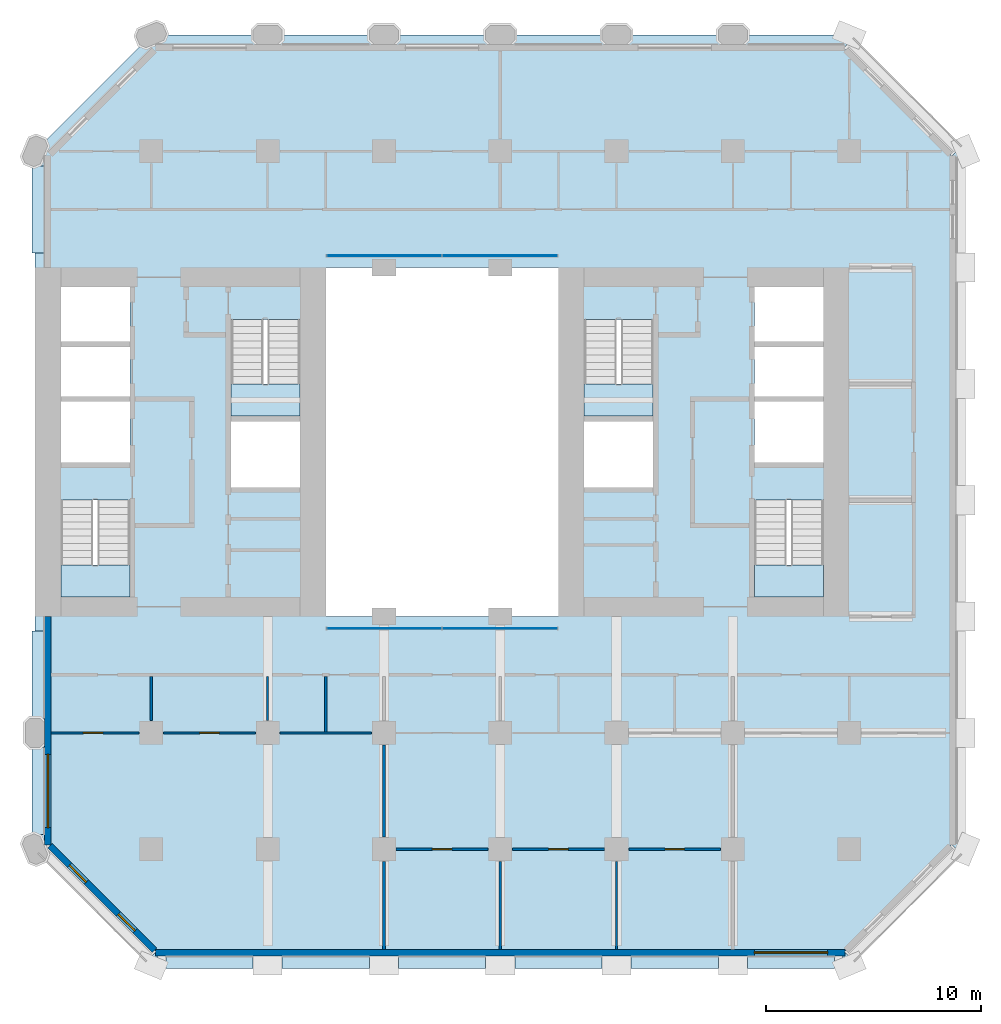
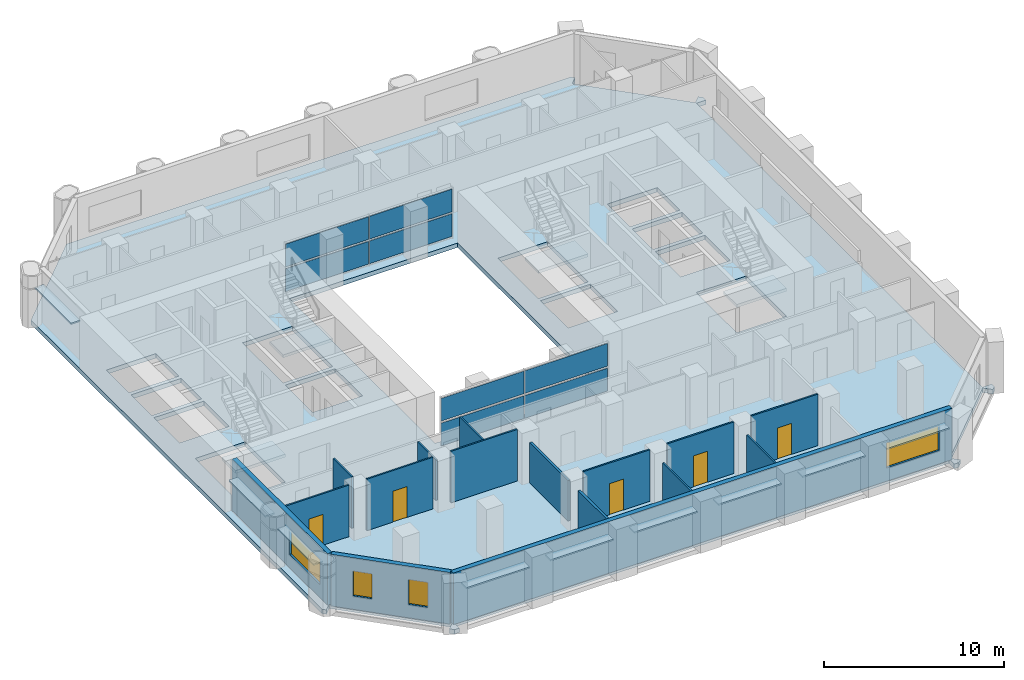
# One storey, part 7 of 13: 17 plates, 16 walls, 5 doors, 5 slabs, 4 windows, 9 openings, 6 elements without a shape of their own.
"""IFC4 building model written with IfcOpenShell, lengths in metres."""

from ifc_helpers import new_model, si_unit, direction, frame, frame_2d, origin, origin_2d, place, context, subcontext, project, spatial, polyline, rectangle, outline, extrude, material, layer, layer_set, type_object, element, fill, aggregate, save


model = new_model("IFC4")

# Units and contexts
model_context = context("Model", 3, precision=1e-05, world=origin(), true_north=direction((0.0, 1.0)))
body_context = subcontext(model_context, "Body", "Model", "MODEL_VIEW")
ifc_project = project(units=[si_unit("LENGTHUNIT", "METRE"), si_unit("AREAUNIT", "SQUARE_METRE"), si_unit("VOLUMEUNIT", "CUBIC_METRE"), si_unit("PLANEANGLEUNIT", "RADIAN"), si_unit("MASSUNIT", "GRAM", prefix="KILO")], contexts=[model_context])

# Site, building, storey
site_placement = place(None, origin())
site = spatial("IfcSite", under=ifc_project, at=site_placement, CompositionType="ELEMENT")
building_placement = place(site_placement, origin())
building = spatial("IfcBuilding", under=site, at=building_placement, Name="Tabaq Tower and Sports Hall", CompositionType="ELEMENT")
storey_placement = place(building_placement, frame((0.0, 0.0, 37.39990234375)))
storey = spatial("IfcBuildingStorey", under=building, at=storey_placement, Name="L07", CompositionType="ELEMENT", Elevation=37.39990234375)

# Curtain wall, plates
ifc_material_1 = material(Name="Aluminium alloy 6063-T6 framed glazing", Category="aluminium")
curtain_wall_type = type_object("IfcCurtainWallType", Name="CW1 curtain wall", PredefinedType="USERDEFINED", material=ifc_material_1)
curtain_wall_1_placement = place(storey_placement, origin())
curtain_wall_1 = element("IfcCurtainWall", 1, at=curtain_wall_1_placement, inside=storey, type_object=curtain_wall_type, Name="Atrium glazing L07 S", ObjectType="ATRIUM ENCLOSURE", PredefinedType="USERDEFINED")
ifc_material_2 = material(Name="Clear low-emissivity glass 28 mm", Category="glass")
ifc_layer_1 = layer(ifc_material_2, 0.028076171875)
ifc_layer_set_1 = layer_set([ifc_layer_1], Name="CW1 glass panel 28")
plate_type_1 = type_object("IfcPlateType", Name="CW1 glass panel 28", PredefinedType="CURTAIN_PANEL", material=ifc_layer_set_1)
plate_1_placement = place(storey_placement, frame((21.614990234375, 15.64990234375, 0.14013671875), z_axis=(0.0, 0.0, 1.0), x_axis=(1.0, 0.0, 0.0)))
plate_1 = element("IfcPlate", 2, at=plate_1_placement, type_object=plate_type_1, Name="CW1 panel 1.1", PredefinedType="CURTAIN_PANEL", context=body_context, shape_type="SweptSolid", body=[
    extrude(rectangle(XDim=5.31005859375, YDim=0.028076171875, at=origin_2d()), origin(), (0.0, 0.0, 1.0), 1.5400390625),
])
plate_2_placement = place(storey_placement, frame((21.614990234375, 15.64990234375, 1.820068359375), z_axis=(0.0, 0.0, 1.0), x_axis=(1.0, 0.0, 0.0)))
plate_2 = element("IfcPlate", 3, at=plate_2_placement, type_object=plate_type_1, Name="CW1 panel 1.2", PredefinedType="CURTAIN_PANEL", context=body_context, shape_type="SweptSolid", body=[
    extrude(rectangle(XDim=5.31005859375, YDim=0.028076171875, at=origin_2d()), origin(), (0.0, 0.0, 1.0), 1.5400390625),
])
plate_3_placement = place(storey_placement, frame((26.985107421875, 15.64990234375, 0.14013671875), z_axis=(0.0, 0.0, 1.0), x_axis=(1.0, 0.0, 0.0)))
plate_3 = element("IfcPlate", 4, at=plate_3_placement, type_object=plate_type_1, Name="CW1 panel 2.1", PredefinedType="CURTAIN_PANEL", context=body_context, shape_type="SweptSolid", body=[
    extrude(rectangle(XDim=5.31005859375, YDim=0.028076171875, at=origin_2d()), origin(), (0.0, 0.0, 1.0), 1.5400390625),
])
plate_4_placement = place(storey_placement, frame((26.985107421875, 15.64990234375, 1.820068359375), z_axis=(0.0, 0.0, 1.0), x_axis=(1.0, 0.0, 0.0)))
plate_4 = element("IfcPlate", 5, at=plate_4_placement, type_object=plate_type_1, Name="CW1 panel 2.2", PredefinedType="CURTAIN_PANEL", context=body_context, shape_type="SweptSolid", body=[
    extrude(rectangle(XDim=5.31005859375, YDim=0.028076171875, at=origin_2d()), origin(), (0.0, 0.0, 1.0), 1.5400390625),
])
aggregate(curtain_wall_1, [plate_1, plate_2, plate_3, plate_4])

curtain_wall_2_placement = place(storey_placement, origin())
curtain_wall_2 = element("IfcCurtainWall", 6, at=curtain_wall_2_placement, inside=storey, type_object=curtain_wall_type, Name="Atrium glazing L07 N", ObjectType="ATRIUM ENCLOSURE", PredefinedType="USERDEFINED")
plate_5_placement = place(storey_placement, frame((21.614990234375, 32.949951171875, 0.14013671875), z_axis=(0.0, 0.0, 1.0), x_axis=(1.0, 0.0, 0.0)))
plate_5 = element("IfcPlate", 7, at=plate_5_placement, type_object=plate_type_1, Name="CW1 panel 1.1", PredefinedType="CURTAIN_PANEL", context=body_context, shape_type="SweptSolid", body=[
    extrude(rectangle(XDim=5.31005859375, YDim=0.028076171875, at=origin_2d()), origin(), (0.0, 0.0, 1.0), 1.5400390625),
])
plate_6_placement = place(storey_placement, frame((21.614990234375, 32.949951171875, 1.820068359375), z_axis=(0.0, 0.0, 1.0), x_axis=(1.0, 0.0, 0.0)))
plate_6 = element("IfcPlate", 8, at=plate_6_placement, type_object=plate_type_1, Name="CW1 panel 1.2", PredefinedType="CURTAIN_PANEL", context=body_context, shape_type="SweptSolid", body=[
    extrude(rectangle(XDim=5.31005859375, YDim=0.028076171875, at=origin_2d()), origin(), (0.0, 0.0, 1.0), 1.5400390625),
])
plate_7_placement = place(storey_placement, frame((26.985107421875, 32.949951171875, 0.14013671875), z_axis=(0.0, 0.0, 1.0), x_axis=(1.0, 0.0, 0.0)))
plate_7 = element("IfcPlate", 9, at=plate_7_placement, type_object=plate_type_1, Name="CW1 panel 2.1", PredefinedType="CURTAIN_PANEL", context=body_context, shape_type="SweptSolid", body=[
    extrude(rectangle(XDim=5.31005859375, YDim=0.028076171875, at=origin_2d()), origin(), (0.0, 0.0, 1.0), 1.5400390625),
])
plate_8_placement = place(storey_placement, frame((26.985107421875, 32.949951171875, 1.820068359375), z_axis=(0.0, 0.0, 1.0), x_axis=(1.0, 0.0, 0.0)))
plate_8 = element("IfcPlate", 10, at=plate_8_placement, type_object=plate_type_1, Name="CW1 panel 2.2", PredefinedType="CURTAIN_PANEL", context=body_context, shape_type="SweptSolid", body=[
    extrude(rectangle(XDim=5.31005859375, YDim=0.028076171875, at=origin_2d()), origin(), (0.0, 0.0, 1.0), 1.5400390625),
])
aggregate(curtain_wall_2, [plate_5, plate_6, plate_7, plate_8])

# Stair, slab
ifc_material_3 = material(Name="Concrete C40/50", Category="concrete")
stair_type = type_object("IfcStairType", Name="Exit stair", PredefinedType="HALF_TURN_STAIR", material=ifc_material_3)
stair_1_placement = place(storey_placement, origin())
stair_1 = element("IfcStair", 11, at=stair_1_placement, inside=storey, type_object=stair_type, Name="L07 Exit stair ST1", PredefinedType="HALF_TURN_STAIR")
ifc_material_4 = material(Name="Concrete C40/50", Category="concrete")
ifc_layer_2 = layer(ifc_material_4, 0.199951171875)
ifc_layer_set_2 = layer_set([ifc_layer_2], Name="Exit stair landing")
slab_type_1 = type_object("IfcSlabType", Name="Exit stair landing", PredefinedType="LANDING", material=ifc_layer_set_2)
slab_1_placement = place(storey_placement, frame((0.0, 0.0, 1.7001953125)))
slab_1 = element("IfcSlab", 12, at=slab_1_placement, type_object=slab_type_1, Name="ST1 landing 1", PredefinedType="LANDING", context=body_context, shape_type="SweptSolid", body=[
    extrude(outline(polyline([(6.60009765625, 18.60009765625), (6.60009765625, 17.10009765625), (9.800048828125, 17.10009765625), (9.800048828125, 18.60009765625), (6.60009765625, 18.60009765625)])), origin(), (0.0, 0.0, 1.0), 0.199951171875),
])
aggregate(stair_1, [slab_1])

stair_2_placement = place(storey_placement, origin())
stair_2 = element("IfcStair", 13, at=stair_2_placement, inside=storey, type_object=stair_type, Name="L07 Exit stair ST2", PredefinedType="HALF_TURN_STAIR")
slab_2_placement = place(storey_placement, frame((0.0, 0.0, 1.7001953125)))
slab_2 = element("IfcSlab", 14, at=slab_2_placement, type_object=slab_type_1, Name="ST2 landing 1", PredefinedType="LANDING", context=body_context, shape_type="SweptSolid", body=[
    extrude(outline(polyline([(14.5, 27.0), (14.5, 25.5), (17.699951171875, 25.5), (17.699951171875, 27.0), (14.5, 27.0)])), origin(), (0.0, 0.0, 1.0), 0.199951171875),
])
aggregate(stair_2, [slab_2])

stair_3_placement = place(storey_placement, origin())
stair_3 = element("IfcStair", 15, at=stair_3_placement, inside=storey, type_object=stair_type, Name="L07 Exit stair ST3", PredefinedType="HALF_TURN_STAIR")
slab_3_placement = place(storey_placement, frame((0.0, 0.0, 1.7001953125)))
slab_3 = element("IfcSlab", 16, at=slab_3_placement, type_object=slab_type_1, Name="ST3 landing 1", PredefinedType="LANDING", context=body_context, shape_type="SweptSolid", body=[
    extrude(outline(polyline([(38.800048828125, 18.60009765625), (38.800048828125, 17.10009765625), (42.0, 17.10009765625), (42.0, 18.60009765625), (38.800048828125, 18.60009765625)])), origin(), (0.0, 0.0, 1.0), 0.199951171875),
])
aggregate(stair_3, [slab_3])

stair_4_placement = place(storey_placement, origin())
stair_4 = element("IfcStair", 17, at=stair_4_placement, inside=storey, type_object=stair_type, Name="L07 Exit stair ST4", PredefinedType="HALF_TURN_STAIR")
slab_4_placement = place(storey_placement, frame((0.0, 0.0, 1.7001953125)))
slab_4 = element("IfcSlab", 18, at=slab_4_placement, type_object=slab_type_1, Name="ST4 landing 1", PredefinedType="LANDING", context=body_context, shape_type="SweptSolid", body=[
    extrude(outline(polyline([(30.89990234375, 27.0), (30.89990234375, 25.5), (34.10009765625, 25.5), (34.10009765625, 27.0), (30.89990234375, 27.0)])), origin(), (0.0, 0.0, 1.0), 0.199951171875),
])
aggregate(stair_4, [slab_4])

# Slab
ifc_material_5 = material(Name="Concrete C40/50", Category="concrete")
ifc_layer_3 = layer(ifc_material_5, 0.300048828125)
ifc_layer_set_3 = layer_set([ifc_layer_3], Name="PT FLOOR SLAB 300 C40/50")
slab_type_2 = type_object("IfcSlabType", Name="PT FLOOR SLAB 300 C40/50", PredefinedType="FLOOR", material=ifc_layer_set_3)
slab_5_placement = place(storey_placement, frame((0.0, 0.0, -0.2998046875)))
element("IfcSlab", 19, at=slab_5_placement, inside=storey, type_object=slab_type_2, Name="Floor Slab L07", PredefinedType="FLOOR", context=body_context, shape_type="SweptSolid", body=[
    extrude(outline(polyline([(5.39990234375, 37.800048828125), (5.39990234375, 5.39990234375), (5.57666015625, 5.22314453125), (5.930419921875, 5.57666015625), (6.0009765625, 5.6474609375), (11.01318359375, 0.63525390625), (10.5888671875, 0.211181640625), (10.800048828125, 0.0), (11.0986328125, 0.0), (11.0986328125, 0.5), (11.0986328125, 0.60009765625), (42.9013671875, 0.60009765625), (42.9013671875, 0.5), (42.9013671875, 0.0), (43.199951171875, 0.0), (43.4111328125, 0.211181640625), (42.98681640625, 0.63525390625), (47.964599609375, 5.61328125), (48.035400390625, 5.54248046875), (48.388916015625, 5.18896484375), (48.60009765625, 5.39990234375), (48.60009765625, 5.698486328125), (48.10009765625, 5.698486328125), (48.0, 5.698486328125), (48.0, 37.50146484375), (48.10009765625, 37.50146484375), (48.60009765625, 37.50146484375), (48.60009765625, 37.800048828125), (48.388916015625, 38.010986328125), (48.035400390625, 37.657470703125), (47.964599609375, 37.5869140625), (42.952392578125, 42.598876953125), (43.023193359375, 42.669677734375), (43.376708984375, 43.023193359375), (43.199951171875, 43.199951171875), (10.800048828125, 43.199951171875), (5.39990234375, 37.800048828125)]), holes=[polyline([(6.60009765625, 21.599365234375), (9.800048828125, 21.599365234375), (9.800048828125, 17.10009765625), (6.60009765625, 17.10009765625), (6.60009765625, 21.599365234375)]), polyline([(17.699951171875, 25.25), (17.699951171875, 22.199951171875), (14.5, 22.199951171875), (14.5, 25.25), (17.699951171875, 25.25)]), polyline([(18.89990234375, 32.39990234375), (29.699951171875, 32.39990234375), (29.699951171875, 16.199951171875), (18.89990234375, 16.199951171875), (18.89990234375, 32.39990234375)]), polyline([(6.60009765625, 26.175048828125), (9.800048828125, 26.175048828125), (9.800048828125, 23.35009765625), (6.60009765625, 23.35009765625), (6.60009765625, 26.175048828125)]), polyline([(9.800048828125, 28.72509765625), (9.800048828125, 26.425048828125), (6.60009765625, 26.425048828125), (6.60009765625, 28.72509765625), (9.800048828125, 28.72509765625)]), polyline([(17.699951171875, 29.99951171875), (17.699951171875, 25.5), (14.5, 25.5), (14.5, 29.99951171875), (17.699951171875, 29.99951171875)]), polyline([(6.60009765625, 31.5), (9.800048828125, 31.5), (9.800048828125, 28.97509765625), (6.60009765625, 28.97509765625), (6.60009765625, 31.5)]), polyline([(42.0, 21.599365234375), (42.0, 17.10009765625), (38.800048828125, 17.10009765625), (38.800048828125, 21.599365234375), (42.0, 21.599365234375)]), polyline([(34.10009765625, 25.25), (34.10009765625, 22.199951171875), (30.89990234375, 22.199951171875), (30.89990234375, 25.25), (34.10009765625, 25.25)]), polyline([(42.0, 26.175048828125), (42.0, 23.35009765625), (38.800048828125, 23.35009765625), (38.800048828125, 26.175048828125), (42.0, 26.175048828125)]), polyline([(42.0, 28.72509765625), (42.0, 26.425048828125), (38.800048828125, 26.425048828125), (38.800048828125, 28.72509765625), (42.0, 28.72509765625)]), polyline([(34.10009765625, 29.99951171875), (34.10009765625, 25.5), (30.89990234375, 25.5), (30.89990234375, 29.99951171875), (34.10009765625, 29.99951171875)]), polyline([(42.0, 31.5), (42.0, 28.97509765625), (38.800048828125, 28.97509765625), (38.800048828125, 31.5), (42.0, 31.5)])]), origin(), (0.0, 0.0, 1.0), 0.2998046875),
])

# Plates
ifc_material_6 = material(Name="White precast concrete C60/75 blade", Category="concrete")
ifc_layer_4 = layer(ifc_material_6, 0.10009765625)
ifc_layer_set_4 = layer_set([ifc_layer_4], Name="White precast concrete C60/75 sunshade 100")
plate_type_2 = type_object("IfcPlateType", Name="White precast concrete C60/75 sunshade 100", PredefinedType="USERDEFINED", material=ifc_layer_set_4)
for number, where, z_axis, x_axis, name in (
    (20, (13.5, 0.14990234375, 2.60009765625), (0.0, 0.0, 1.0), (1.0, 0.0, 0.0), "Sunshade L07 S"),
    (21, (18.89990234375, 0.14990234375, 2.60009765625), (0.0, 0.0, 1.0), (1.0, 0.0, 0.0), "Sunshade L07 S"),
    (22, (24.300048828125, 0.14990234375, 2.60009765625), (0.0, 0.0, 1.0), (1.0, 0.0, 0.0), "Sunshade L07 S"),
    (23, (29.699951171875, 0.14990234375, 2.60009765625), (0.0, 0.0, 1.0), (1.0, 0.0, 0.0), "Sunshade L07 S"),
    (24, (35.10009765625, 0.14990234375, 2.60009765625), (0.0, 0.0, 1.0), (1.0, 0.0, 0.0), "Sunshade L07 S"),
    (25, (40.5, 0.14990234375, 2.60009765625), (0.0, 0.0, 1.0), (1.0, 0.0, 0.0), "Sunshade L07 S"),
    (26, (5.550048828125, 35.10009765625, 2.60009765625), (0.0, 0.0, 1.0), (0.0, -1.0, 0.0), "Sunshade L07 W"),
    (27, (5.550048828125, 13.5, 2.60009765625), (0.0, 0.0, 1.0), (0.0, -1.0, 0.0), "Sunshade L07 W"),
    (28, (5.550048828125, 8.10009765625, 2.60009765625), (0.0, 0.0, 1.0), (0.0, -1.0, 0.0), "Sunshade L07 W"),
):
    element("IfcPlate", number, at=place(storey_placement, frame(where, z_axis=z_axis, x_axis=x_axis)), inside=storey, type_object=plate_type_2, Name=name, ObjectType="SUNSHADE", PredefinedType="USERDEFINED", context=body_context, shape_type="SweptSolid", body=[
        extrude(rectangle(XDim=4.050048828125, YDim=0.60009765625, at=origin_2d()), origin(), (0.0, 0.0, 1.0), 0.10009765625),
    ])

# Wall, opening, door
ifc_material_7 = material(Name="Gypsum board on steel studs", Category="steel")
ifc_layer_5 = layer(ifc_material_7, 0.10009765625)
ifc_layer_set_5 = layer_set([ifc_layer_5], Name="Partition 100 Gypsum board")
wall_type_1 = type_object("IfcWallType", Name="Partition 100 Gypsum board", PredefinedType="PARTITIONING", material=ifc_layer_set_5)
wall_1_placement = place(storey_placement, frame((6.15087890625, 10.800048828125, 0.0), z_axis=(0.0, 0.0, 1.0), x_axis=(1.0, 0.0, 0.0)))
wall_1 = element("IfcWall", 29, at=wall_1_placement, inside=storey, type_object=wall_type_1, Name="Partition wall L07", PredefinedType="PARTITIONING", context=body_context, shape_type="SweptSolid", body=[
    extrude(rectangle(XDim=4.0791015625, YDim=0.10009765625, at=frame_2d((2.03955078125, 0.0))), origin(), (0.0, 0.0, 1.0), 3.5),
])
opening_1_placement = place(wall_1_placement, frame((1.4990234375, 0.0, 0.0)))
opening_1 = element("IfcOpeningElement", 30, at=opening_1_placement, cuts=wall_1, Name="Opening L07-028", PredefinedType="OPENING", context=body_context, shape_type="SweptSolid", body=[
    extrude(rectangle(XDim=0.89990234375, YDim=2.10009765625, at=frame_2d((0.449951171875, 1.050048828125))), frame((0.0, 0.050048828125, 0.0), z_axis=(0.0, -1.0, 0.0), x_axis=(1.0, 0.0, 0.0)), (0.0, 0.0, 1.0), 0.10009765625),
])
ifc_material_8 = material(Name="Timber leaf in steel frame", Category="steel")
door_type_1 = type_object("IfcDoorType", Name="Internal door 900 right hand", OperationType="SINGLE_SWING_RIGHT", PredefinedType="DOOR", material=ifc_material_8)
door_1_placement = place(opening_1_placement, origin())
door_1 = element("IfcDoor", 31, at=door_1_placement, inside=storey, type_object=door_type_1, Name="Internal door L07-028", OperationType="SINGLE_SWING_RIGHT", OverallHeight=2.10009765625, OverallWidth=0.89990234375, PredefinedType="DOOR", context=body_context, shape_type="SweptSolid", body=[
    extrude(rectangle(XDim=0.89990234375, YDim=2.10009765625, at=frame_2d((0.449951171875, 1.050048828125))), frame((0.0, 0.02490234375, 0.0), z_axis=(0.0, -1.0, 0.0), x_axis=(1.0, 0.0, 0.0)), (0.0, 0.0, 1.0), 0.050048828125),
])
fill(opening_1, door_1)

# Wall
wall_2_placement = place(storey_placement, frame((10.800048828125, 11.3701171875, 0.0), z_axis=(0.0, 0.0, 1.0), x_axis=(0.0, 1.0, 0.0)))
element("IfcWall", 32, at=wall_2_placement, inside=storey, type_object=wall_type_1, Name="Partition wall L07", PredefinedType="PARTITIONING", context=body_context, shape_type="SweptSolid", body=[
    extrude(rectangle(XDim=2.054931640625, YDim=0.10009765625, at=frame_2d((1.02734375, 0.0))), origin(), (0.0, 0.0, 1.0), 3.5),
])

# Wall, opening, door
wall_3_placement = place(storey_placement, frame((11.3701171875, 10.800048828125, 0.0), z_axis=(0.0, 0.0, 1.0), x_axis=(1.0, 0.0, 0.0)))
wall_3 = element("IfcWall", 33, at=wall_3_placement, inside=storey, type_object=wall_type_1, Name="Partition wall L07", PredefinedType="PARTITIONING", context=body_context, shape_type="SweptSolid", body=[
    extrude(rectangle(XDim=4.259765625, YDim=0.10009765625, at=frame_2d((2.1298828125, 0.0))), origin(), (0.0, 0.0, 1.0), 3.5),
])
opening_2_placement = place(wall_3_placement, frame((1.679931640625, 0.0, 0.0)))
opening_2 = element("IfcOpeningElement", 34, at=opening_2_placement, cuts=wall_3, Name="Opening L07-017", PredefinedType="OPENING", context=body_context, shape_type="SweptSolid", body=[
    extrude(rectangle(XDim=0.89990234375, YDim=2.10009765625, at=frame_2d((0.449951171875, 1.050048828125))), frame((0.0, 0.050048828125, 0.0), z_axis=(0.0, -1.0, 0.0), x_axis=(1.0, 0.0, 0.0)), (0.0, 0.0, 1.0), 0.10009765625),
])
ifc_material_9 = material(Name="Timber leaf in steel frame", Category="steel")
door_type_2 = type_object("IfcDoorType", Name="Internal door 900 left hand", OperationType="SINGLE_SWING_LEFT", PredefinedType="DOOR", material=ifc_material_9)
door_2_placement = place(opening_2_placement, origin())
door_2 = element("IfcDoor", 35, at=door_2_placement, inside=storey, type_object=door_type_2, Name="Internal door L07-017", OperationType="SINGLE_SWING_LEFT", OverallHeight=2.10009765625, OverallWidth=0.89990234375, PredefinedType="DOOR", context=body_context, shape_type="SweptSolid", body=[
    extrude(rectangle(XDim=0.89990234375, YDim=2.10009765625, at=frame_2d((0.449951171875, 1.050048828125))), frame((0.0, 0.02490234375, 0.0), z_axis=(0.0, -1.0, 0.0), x_axis=(1.0, 0.0, 0.0)), (0.0, 0.0, 1.0), 0.050048828125),
])
fill(opening_2, door_2)

# Walls
wall_4_placement = place(storey_placement, frame((16.199951171875, 11.3701171875, 0.0), z_axis=(0.0, 0.0, 1.0), x_axis=(0.0, 1.0, 0.0)))
element("IfcWall", 36, at=wall_4_placement, inside=storey, type_object=wall_type_1, Name="Partition wall L07", PredefinedType="PARTITIONING", context=body_context, shape_type="SweptSolid", body=[
    extrude(rectangle(XDim=2.054931640625, YDim=0.10009765625, at=frame_2d((1.02734375, 0.0))), origin(), (0.0, 0.0, 1.0), 2.75),
])
wall_5_placement = place(storey_placement, frame((18.89990234375, 10.85009765625, 0.0), z_axis=(0.0, 0.0, 1.0), x_axis=(0.0, 1.0, 0.0)))
element("IfcWall", 37, at=wall_5_placement, inside=storey, type_object=wall_type_1, Name="Partition wall L07", PredefinedType="PARTITIONING", context=body_context, shape_type="SweptSolid", body=[
    extrude(rectangle(XDim=2.574951171875, YDim=0.10009765625, at=frame_2d((1.28759765625, 0.0))), origin(), (0.0, 0.0, 1.0), 3.5),
])
wall_6_placement = place(storey_placement, frame((16.77001953125, 10.800048828125, 0.0), z_axis=(0.0, 0.0, 1.0), x_axis=(1.0, 0.0, 0.0)))
element("IfcWall", 38, at=wall_6_placement, inside=storey, type_object=wall_type_1, Name="Partition wall L07", PredefinedType="PARTITIONING", context=body_context, shape_type="SweptSolid", body=[
    extrude(rectangle(XDim=4.260009765625, YDim=0.10009765625, at=frame_2d((2.1298828125, 0.0))), origin(), (0.0, 0.0, 1.0), 3.5),
])

# Wall, opening, door
wall_7_placement = place(storey_placement, frame((22.169921875, 5.39990234375, 0.0), z_axis=(0.0, 0.0, 1.0), x_axis=(1.0, 0.0, 0.0)))
wall_7 = element("IfcWall", 39, at=wall_7_placement, inside=storey, type_object=wall_type_1, Name="Partition wall L07", PredefinedType="PARTITIONING", context=body_context, shape_type="SweptSolid", body=[
    extrude(rectangle(XDim=4.260009765625, YDim=0.10009765625, at=frame_2d((2.1298828125, 0.0))), origin(), (0.0, 0.0, 1.0), 3.5),
])
opening_3_placement = place(wall_7_placement, frame((1.679931640625, 0.0, 0.0)))
opening_3 = element("IfcOpeningElement", 40, at=opening_3_placement, cuts=wall_7, Name="Opening L07-019", PredefinedType="OPENING", context=body_context, shape_type="SweptSolid", body=[
    extrude(rectangle(XDim=0.89990234375, YDim=2.10009765625, at=frame_2d((0.449951171875, 1.050048828125))), frame((0.0, 0.050048828125, 0.0), z_axis=(0.0, -1.0, 0.0), x_axis=(1.0, 0.0, 0.0)), (0.0, 0.0, 1.0), 0.10009765625),
])
door_3_placement = place(opening_3_placement, origin())
door_3 = element("IfcDoor", 41, at=door_3_placement, inside=storey, type_object=door_type_2, Name="Internal door L07-019", OperationType="SINGLE_SWING_LEFT", OverallHeight=2.10009765625, OverallWidth=0.89990234375, PredefinedType="DOOR", context=body_context, shape_type="SweptSolid", body=[
    extrude(rectangle(XDim=0.89990234375, YDim=2.10009765625, at=frame_2d((0.449951171875, 1.050048828125))), frame((0.0, 0.02490234375, 0.0), z_axis=(0.0, -1.0, 0.0), x_axis=(1.0, 0.0, 0.0)), (0.0, 0.0, 1.0), 0.050048828125),
])
fill(opening_3, door_3)

wall_8_placement = place(storey_placement, frame((27.570068359375, 5.39990234375, 0.0), z_axis=(0.0, 0.0, 1.0), x_axis=(1.0, 0.0, 0.0)))
wall_8 = element("IfcWall", 42, at=wall_8_placement, inside=storey, type_object=wall_type_1, Name="Partition wall L07", PredefinedType="PARTITIONING", context=body_context, shape_type="SweptSolid", body=[
    extrude(rectangle(XDim=4.260009765625, YDim=0.10009765625, at=frame_2d((2.1298828125, 0.0))), origin(), (0.0, 0.0, 1.0), 3.5),
])
opening_4_placement = place(wall_8_placement, frame((1.679931640625, 0.0, 0.0)))
opening_4 = element("IfcOpeningElement", 43, at=opening_4_placement, cuts=wall_8, Name="Opening L07-020", PredefinedType="OPENING", context=body_context, shape_type="SweptSolid", body=[
    extrude(rectangle(XDim=0.89990234375, YDim=2.10009765625, at=frame_2d((0.449951171875, 1.050048828125))), frame((0.0, 0.050048828125, 0.0), z_axis=(0.0, -1.0, 0.0), x_axis=(1.0, 0.0, 0.0)), (0.0, 0.0, 1.0), 0.10009765625),
])
door_4_placement = place(opening_4_placement, origin())
door_4 = element("IfcDoor", 44, at=door_4_placement, inside=storey, type_object=door_type_2, Name="Internal door L07-020", OperationType="SINGLE_SWING_LEFT", OverallHeight=2.10009765625, OverallWidth=0.89990234375, PredefinedType="DOOR", context=body_context, shape_type="SweptSolid", body=[
    extrude(rectangle(XDim=0.89990234375, YDim=2.10009765625, at=frame_2d((0.449951171875, 1.050048828125))), frame((0.0, 0.02490234375, 0.0), z_axis=(0.0, -1.0, 0.0), x_axis=(1.0, 0.0, 0.0)), (0.0, 0.0, 1.0), 0.050048828125),
])
fill(opening_4, door_4)

wall_9_placement = place(storey_placement, frame((32.969970703125, 5.39990234375, 0.0), z_axis=(0.0, 0.0, 1.0), x_axis=(1.0, 0.0, 0.0)))
wall_9 = element("IfcWall", 45, at=wall_9_placement, inside=storey, type_object=wall_type_1, Name="Partition wall L07", PredefinedType="PARTITIONING", context=body_context, shape_type="SweptSolid", body=[
    extrude(rectangle(XDim=4.260009765625, YDim=0.10009765625, at=frame_2d((2.1298828125, 0.0))), origin(), (0.0, 0.0, 1.0), 3.5),
])
opening_5_placement = place(wall_9_placement, frame((1.679931640625, 0.0, 0.0)))
opening_5 = element("IfcOpeningElement", 46, at=opening_5_placement, cuts=wall_9, Name="Opening L07-021", PredefinedType="OPENING", context=body_context, shape_type="SweptSolid", body=[
    extrude(rectangle(XDim=0.89990234375, YDim=2.10009765625, at=frame_2d((0.449951171875, 1.050048828125))), frame((0.0, 0.050048828125, 0.0), z_axis=(0.0, -1.0, 0.0), x_axis=(1.0, 0.0, 0.0)), (0.0, 0.0, 1.0), 0.10009765625),
])
door_5_placement = place(opening_5_placement, origin())
door_5 = element("IfcDoor", 47, at=door_5_placement, inside=storey, type_object=door_type_2, Name="Internal door L07-021", OperationType="SINGLE_SWING_LEFT", OverallHeight=2.10009765625, OverallWidth=0.89990234375, PredefinedType="DOOR", context=body_context, shape_type="SweptSolid", body=[
    extrude(rectangle(XDim=0.89990234375, YDim=2.10009765625, at=frame_2d((0.449951171875, 1.050048828125))), frame((0.0, 0.02490234375, 0.0), z_axis=(0.0, -1.0, 0.0), x_axis=(1.0, 0.0, 0.0)), (0.0, 0.0, 1.0), 0.050048828125),
])
fill(opening_5, door_5)

# Walls
for number, where, z_axis, x_axis, name in (
    (48, (27.0, 4.830078125, 0.0), (0.0, 0.0, 1.0), (0.0, -1.0, 0.0), "Partition wall L07"),
    (49, (32.39990234375, 4.830078125, 0.0), (0.0, 0.0, 1.0), (0.0, -1.0, 0.0), "Partition wall L07"),
):
    element("IfcWall", number, at=place(storey_placement, frame(where, z_axis=z_axis, x_axis=x_axis)), inside=storey, type_object=wall_type_1, Name=name, PredefinedType="PARTITIONING", context=body_context, shape_type="SweptSolid", body=[
        extrude(rectangle(XDim=4.0791015625, YDim=0.10009765625, at=frame_2d((2.03955078125, 0.0))), origin(), (0.0, 0.0, 1.0), 2.75),
    ])
ifc_material_10 = material(Name="Blockwork", Category="masonry")
ifc_layer_6 = layer(ifc_material_10, 0.14990234375)
ifc_layer_set_6 = layer_set([ifc_layer_6], Name="Separating wall 150 Blockwork")
wall_type_2 = type_object("IfcWallType", Name="Separating wall 150 Blockwork", PredefinedType="PARTITIONING", material=ifc_layer_set_6)
wall_10_placement = place(storey_placement, frame((21.60009765625, 10.22998046875, 0.0), z_axis=(0.0, 0.0, 1.0), x_axis=(0.0, -1.0, 0.0)))
element("IfcWall", 50, at=wall_10_placement, inside=storey, type_object=wall_type_2, Name="Separating wall L07", PredefinedType="PARTITIONING", context=body_context, shape_type="SweptSolid", body=[
    extrude(rectangle(XDim=4.260009765625, YDim=0.14990234375, at=frame_2d((2.1298828125, 0.0))), origin(), (0.0, 0.0, 1.0), 2.75),
])
wall_11_placement = place(storey_placement, frame((21.60009765625, 4.830078125, 0.0), z_axis=(0.0, 0.0, 1.0), x_axis=(0.0, -1.0, 0.0)))
element("IfcWall", 51, at=wall_11_placement, inside=storey, type_object=wall_type_2, Name="Separating wall L07", PredefinedType="PARTITIONING", context=body_context, shape_type="SweptSolid", body=[
    extrude(rectangle(XDim=4.0791015625, YDim=0.14990234375, at=frame_2d((2.03955078125, 0.0))), origin(), (0.0, 0.0, 1.0), 2.75),
])

# Wall, opening, window
ifc_material_11 = material(Name="White precast concrete C60/75", Category="concrete")
ifc_layer_7 = layer(ifc_material_11, 0.300048828125)
ifc_layer_set_7 = layer_set([ifc_layer_7], Name="White precast concrete C60/75 external wall 300")
wall_type_3 = type_object("IfcWallType", Name="White precast concrete C60/75 external wall 300", PredefinedType="SOLIDWALL", material=ifc_layer_set_7)
wall_12_placement = place(storey_placement, frame((10.986328125, 0.60009765625, 0.0), z_axis=(0.0, 0.0, 1.0), x_axis=(1.0, 0.0, 0.0)))
wall_12 = element("IfcWall", 52, at=wall_12_placement, inside=storey, type_object=wall_type_3, Name="External Wall L07 S", PredefinedType="SOLIDWALL", context=body_context, shape_type="SweptSolid", body=[
    extrude(rectangle(XDim=32.02734375, YDim=0.300048828125, at=frame_2d((16.013671875, 0.0))), origin(), (0.0, 0.0, 1.0), 3.5),
])
opening_6_placement = place(wall_12_placement, frame((27.813720703125, 0.0, 0.89990234375)))
opening_6 = element("IfcOpeningElement", 53, at=opening_6_placement, cuts=wall_12, Name="Opening W1A", PredefinedType="OPENING", context=body_context, shape_type="SweptSolid", body=[
    extrude(rectangle(XDim=3.39990234375, YDim=1.699951171875, at=frame_2d((1.699951171875, 0.85009765625))), frame((0.0, 0.16015625, 0.0), z_axis=(0.0, -1.0, 0.0), x_axis=(1.0, 0.0, 0.0)), (0.0, 0.0, 1.0), 0.320068359375),
])
ifc_material_12 = material(Name="Aluminium framed clear glazing", Category="aluminium")
window_type_1 = type_object("IfcWindowType", Name="Window W1A", PartitioningType="SINGLE_PANEL", PredefinedType="WINDOW", material=ifc_material_12)
window_1_placement = place(opening_6_placement, origin())
window_1 = element("IfcWindow", 54, at=window_1_placement, inside=storey, type_object=window_type_1, Name="Window W1A L07", OverallHeight=1.699951171875, OverallWidth=3.39990234375, PartitioningType="SINGLE_PANEL", PredefinedType="WINDOW", context=body_context, shape_type="SweptSolid", body=[
    extrude(rectangle(XDim=3.39990234375, YDim=1.699951171875, at=frame_2d((1.699951171875, 0.85009765625))), frame((0.0, 0.030029296875, 0.0), z_axis=(0.0, -1.0, 0.0), x_axis=(1.0, 0.0, 0.0)), (0.0, 0.0, 1.0), 0.06005859375),
])
fill(opening_6, window_1)

wall_13_placement = place(storey_placement, frame((6.0, 16.199951171875, 0.0), z_axis=(0.0, 0.0, 1.0), x_axis=(0.0, -1.0, 0.0)))
wall_13 = element("IfcWall", 55, at=wall_13_placement, inside=storey, type_object=wall_type_3, Name="External Wall L07 W", PredefinedType="SOLIDWALL", context=body_context, shape_type="SweptSolid", body=[
    extrude(rectangle(XDim=10.613525390625, YDim=0.300048828125, at=frame_2d((5.306640625, 0.0))), origin(), (0.0, 0.0, 1.0), 3.5),
])
opening_7_placement = place(wall_13_placement, frame((6.39990234375, 0.0, 0.89990234375)))
opening_7 = element("IfcOpeningElement", 56, at=opening_7_placement, cuts=wall_13, Name="Opening W1A", PredefinedType="OPENING", context=body_context, shape_type="SweptSolid", body=[
    extrude(rectangle(XDim=3.39990234375, YDim=1.699951171875, at=frame_2d((1.699951171875, 0.85009765625))), frame((0.0, 0.16015625, 0.0), z_axis=(0.0, -1.0, 0.0), x_axis=(1.0, 0.0, 0.0)), (0.0, 0.0, 1.0), 0.320068359375),
])
window_2_placement = place(opening_7_placement, origin())
window_2 = element("IfcWindow", 57, at=window_2_placement, inside=storey, type_object=window_type_1, Name="Window W1A L07", OverallHeight=1.699951171875, OverallWidth=3.39990234375, PartitioningType="SINGLE_PANEL", PredefinedType="WINDOW", context=body_context, shape_type="SweptSolid", body=[
    extrude(rectangle(XDim=3.39990234375, YDim=1.699951171875, at=frame_2d((1.699951171875, 0.85009765625))), frame((0.0, 0.030029296875, 0.0), z_axis=(0.0, -1.0, 0.0), x_axis=(1.0, 0.0, 0.0)), (0.0, 0.0, 1.0), 0.06005859375),
])
fill(opening_7, window_2)

# Wall, openings, windows
wall_14_placement = place(storey_placement, frame((6.098876953125, 5.549560546875, 0.0), z_axis=(0.0, 0.0, 1.0), x_axis=(0.707106781187, -0.707106781187, 0.0)))
wall_14 = element("IfcWall", 58, at=wall_14_placement, inside=storey, type_object=wall_type_3, Name="External Wall L07 SW", PredefinedType="SOLIDWALL", context=body_context, shape_type="SweptSolid", body=[
    extrude(rectangle(XDim=6.85986328125, YDim=0.300048828125, at=frame_2d((3.429931640625, 0.0))), origin(), (0.0, 0.0, 1.0), 3.5),
])
opening_8_placement = place(wall_14_placement, frame((1.27978515625, 0.0, 0.89990234375)))
opening_8 = element("IfcOpeningElement", 59, at=opening_8_placement, cuts=wall_14, Name="Opening W1B", PredefinedType="OPENING", context=body_context, shape_type="SweptSolid", body=[
    extrude(rectangle(XDim=1.10009765625, YDim=1.699951171875, at=frame_2d((0.550048828125, 0.85009765625))), frame((0.0, 0.16015625, 0.0), z_axis=(0.0, -1.0, 0.0), x_axis=(1.0, 0.0, 0.0)), (0.0, 0.0, 1.0), 0.320068359375),
])
opening_9_placement = place(wall_14_placement, frame((4.479736328125, 0.0, 0.89990234375)))
opening_9 = element("IfcOpeningElement", 60, at=opening_9_placement, cuts=wall_14, Name="Opening W1B", PredefinedType="OPENING", context=body_context, shape_type="SweptSolid", body=[
    extrude(rectangle(XDim=1.10009765625, YDim=1.699951171875, at=frame_2d((0.550048828125, 0.85009765625))), frame((0.0, 0.16015625, 0.0), z_axis=(0.0, -1.0, 0.0), x_axis=(1.0, 0.0, 0.0)), (0.0, 0.0, 1.0), 0.320068359375),
])
ifc_material_13 = material(Name="Aluminium framed clear glazing", Category="aluminium")
window_type_2 = type_object("IfcWindowType", Name="Window W1B", PartitioningType="SINGLE_PANEL", PredefinedType="WINDOW", material=ifc_material_13)
window_3_placement = place(opening_8_placement, origin())
window_3 = element("IfcWindow", 61, at=window_3_placement, inside=storey, type_object=window_type_2, Name="Window W1B L07", OverallHeight=1.699951171875, OverallWidth=1.10009765625, PartitioningType="SINGLE_PANEL", PredefinedType="WINDOW", context=body_context, shape_type="SweptSolid", body=[
    extrude(rectangle(XDim=1.10009765625, YDim=1.699951171875, at=frame_2d((0.550048828125, 0.85009765625))), frame((0.0, 0.030029296875, 0.0), z_axis=(0.0, -1.0, 0.0), x_axis=(1.0, 0.0, 0.0)), (0.0, 0.0, 1.0), 0.06005859375),
])
fill(opening_8, window_3)
window_4_placement = place(opening_9_placement, origin())
window_4 = element("IfcWindow", 62, at=window_4_placement, inside=storey, type_object=window_type_2, Name="Window W1B L07", OverallHeight=1.699951171875, OverallWidth=1.10009765625, PartitioningType="SINGLE_PANEL", PredefinedType="WINDOW", context=body_context, shape_type="SweptSolid", body=[
    extrude(rectangle(XDim=1.10009765625, YDim=1.699951171875, at=frame_2d((0.550048828125, 0.85009765625))), frame((0.0, 0.030029296875, 0.0), z_axis=(0.0, -1.0, 0.0), x_axis=(1.0, 0.0, 0.0)), (0.0, 0.0, 1.0), 0.06005859375),
])
fill(opening_9, window_4)

save(model, "model.ifc")
